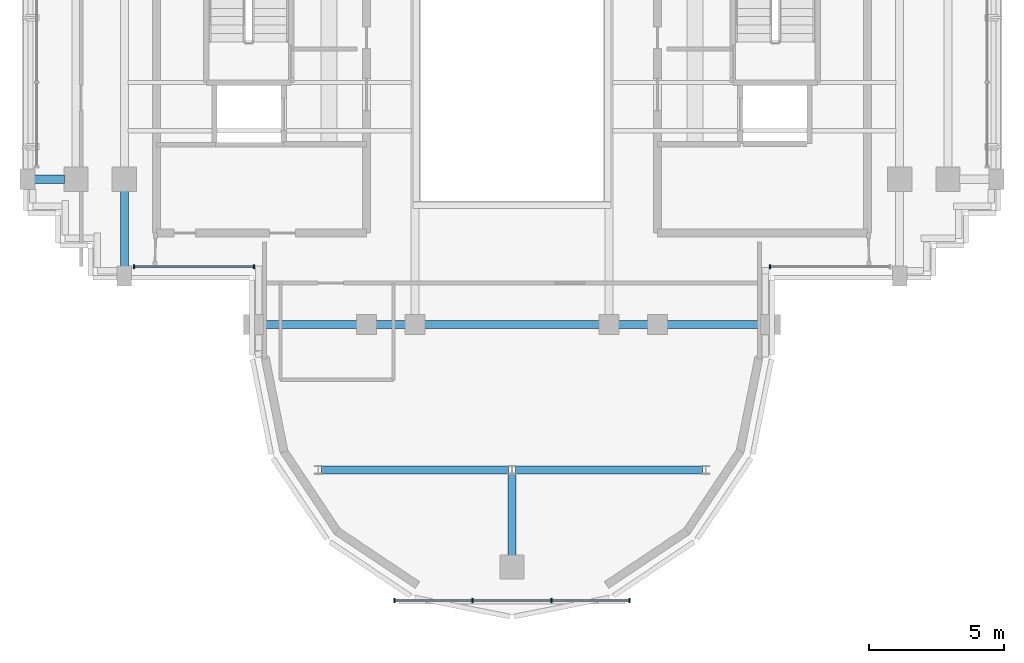
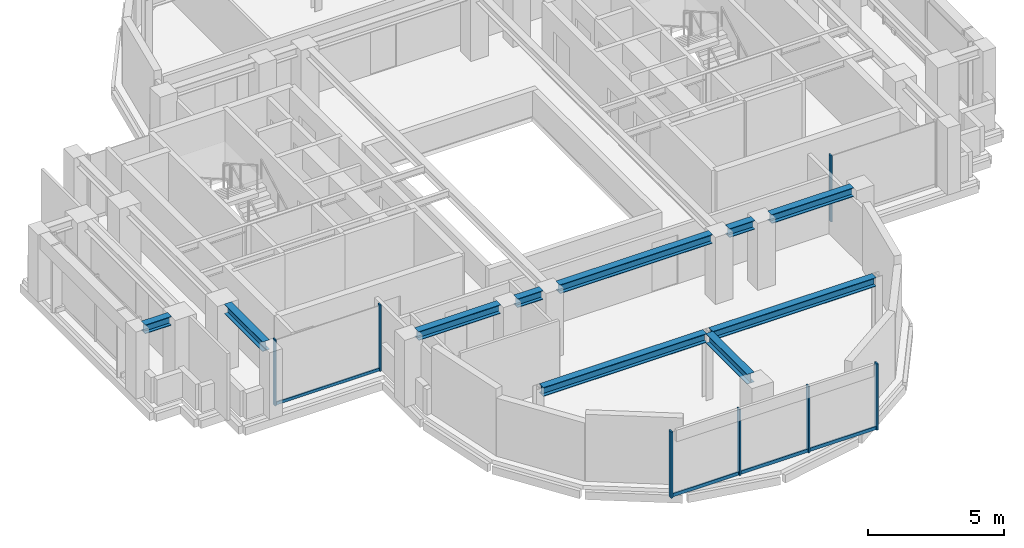
# One storey, part 3 of 12: 11 members, 10 beams, 3 elements without a shape of their own.
"""IFC4 building model written with IfcOpenShell, lengths in metres."""

from ifc_helpers import new_model, si_unit, direction, frame, origin, origin_2d, place, context, subcontext, project, spatial, rectangle, i_section, extrude, source, transform, mapped, material, material_profile, profile_set, type_object, element, aggregate, save


model = new_model("IFC4")

# Units and contexts
model_context = context("Model", 3, precision=1e-05, world=origin(), true_north=direction((0.0, 1.0)))
body_context = subcontext(model_context, "Body", "Model", "MODEL_VIEW")
ifc_project = project(units=[si_unit("LENGTHUNIT", "METRE"), si_unit("AREAUNIT", "SQUARE_METRE"), si_unit("VOLUMEUNIT", "CUBIC_METRE"), si_unit("PLANEANGLEUNIT", "RADIAN"), si_unit("MASSUNIT", "GRAM", prefix="KILO")], contexts=[model_context])

# Site, building, storey
site_placement = place(None, origin())
site = spatial("IfcSite", under=ifc_project, at=site_placement, CompositionType="ELEMENT")
building_placement = place(site_placement, origin())
building = spatial("IfcBuilding", under=site, at=building_placement, Name="Keilestroom Media Tower", CompositionType="ELEMENT")
storey_placement = place(building_placement, frame((0.0, 0.0, 246.0)))
storey = spatial("IfcBuildingStorey", under=building, at=storey_placement, Name="L68", CompositionType="ELEMENT", Elevation=246.0)

# Beams
ifc_material_1 = material(Name="Steel S355", Category="steel")
ifc_material_profile_1 = material_profile(ifc_material_1, i_section(OverallWidth=0.300048828125, OverallDepth=0.39990234375, WebThickness=0.011474609375, FlangeThickness=0.02392578125, at=origin_2d()), Name="HEB 400")
ifc_profile_set_1 = profile_set([ifc_material_profile_1], Name="Steel S355")
beam_type_1 = type_object("IfcBeamType", Name="Primary-Structural-Girder-HEB-400", PredefinedType="BEAM", material=ifc_profile_set_1)
shared_shape_1 = source(origin(), body_context, "Body", "SweptSolid", [
    extrude(i_section(OverallWidth=0.300048828125, OverallDepth=0.39990234375, WebThickness=0.011474609375, FlangeThickness=0.02392578125, at=origin_2d()), origin(), (0.0, 0.0, 1.0), 6.940185546875),
])
for number, where, z_axis, x_axis, name in (
    (1, (-7.070068359375, -14.39990234375, 2.81005859375), (1.0, 0.0, 0.0), (0.0, 1.0, 0.0), "L68 Beam BG-8 BM-L68-EW-001"),
    (2, (0.1298828125, -14.39990234375, 2.81005859375), (1.0, 0.0, 0.0), (0.0, 1.0, 0.0), "L68 Beam BG-8 BM-L68-EW-002"),
):
    element("IfcBeam", number, at=place(storey_placement, frame(where, z_axis=z_axis, x_axis=x_axis)), inside=storey, type_object=beam_type_1, Name=name, PredefinedType="BEAM", context=body_context, shape_type="MappedRepresentation", body=[
        mapped(shared_shape_1, transform((0.0, 0.0, 0.0), x_axis=(1.0, 0.0, 0.0), y_axis=(0.0, 1.0, 0.0), z_axis=(0.0, 0.0, 1.0), scale=1.0)),
    ])
shared_shape_2 = source(origin(), body_context, "Body", "SweptSolid", [
    extrude(i_section(OverallWidth=0.300048828125, OverallDepth=0.39990234375, WebThickness=0.011474609375, FlangeThickness=0.02392578125, at=origin_2d()), origin(), (0.0, 0.0, 1.0), 3.490234375),
])
for number, where, z_axis, x_axis, name in (
    (3, (-9.2451171875, -9.0, 2.81005859375), (1.0, 0.0, 0.0), (0.0, 1.0, 0.0), "L68 Beam BG-8 BM-L68-EW-003"),
    (4, (5.7548828125, -9.0, 2.81005859375), (1.0, 0.0, 0.0), (0.0, 1.0, 0.0), "L68 Beam BG-8 BM-L68-EW-007"),
):
    element("IfcBeam", number, at=place(storey_placement, frame(where, z_axis=z_axis, x_axis=x_axis)), inside=storey, type_object=beam_type_1, Name=name, PredefinedType="BEAM", context=body_context, shape_type="MappedRepresentation", body=[
        mapped(shared_shape_2, transform((0.0, 0.0, 0.0), x_axis=(1.0, 0.0, 0.0), y_axis=(0.0, 1.0, 0.0), z_axis=(0.0, 0.0, 1.0), scale=1.0)),
    ])
shared_shape_3 = source(origin(), body_context, "Body", "SweptSolid", [
    extrude(i_section(OverallWidth=0.300048828125, OverallDepth=0.39990234375, WebThickness=0.011474609375, FlangeThickness=0.02392578125, at=origin_2d()), origin(), (0.0, 0.0, 1.0), 1.08984375),
])
for number, where, z_axis, x_axis, name in (
    (5, (-5.044921875, -9.0, 2.81005859375), (1.0, 0.0, 0.0), (0.0, 1.0, 0.0), "L68 Beam BG-8 BM-L68-EW-004"),
    (6, (3.955078125, -9.0, 2.81005859375), (1.0, 0.0, 0.0), (0.0, 1.0, 0.0), "L68 Beam BG-8 BM-L68-EW-006"),
):
    element("IfcBeam", number, at=place(storey_placement, frame(where, z_axis=z_axis, x_axis=x_axis)), inside=storey, type_object=beam_type_1, Name=name, PredefinedType="BEAM", context=body_context, shape_type="MappedRepresentation", body=[
        mapped(shared_shape_3, transform((0.0, 0.0, 0.0), x_axis=(1.0, 0.0, 0.0), y_axis=(0.0, 1.0, 0.0), z_axis=(0.0, 0.0, 1.0), scale=1.0)),
    ])
shared_shape_4 = source(origin(), body_context, "Body", "SweptSolid", [
    extrude(i_section(OverallWidth=0.300048828125, OverallDepth=0.39990234375, WebThickness=0.011474609375, FlangeThickness=0.02392578125, at=origin_2d()), origin(), (0.0, 0.0, 1.0), 6.490234375),
])
beam_1_placement = place(storey_placement, frame((-3.2451171875, -9.0, 2.81005859375), z_axis=(1.0, 0.0, 0.0), x_axis=(0.0, 1.0, 0.0)))
element("IfcBeam", 7, at=beam_1_placement, inside=storey, type_object=beam_type_1, Name="L68 Beam BG-8 BM-L68-EW-005", PredefinedType="BEAM", context=body_context, shape_type="MappedRepresentation", body=[
    mapped(shared_shape_4, transform((0.0, 0.0, 0.0), x_axis=(1.0, 0.0, 0.0), y_axis=(0.0, 1.0, 0.0), z_axis=(0.0, 0.0, 1.0), scale=1.0)),
])
shared_shape_5 = source(origin(), body_context, "Body", "SweptSolid", [
    extrude(i_section(OverallWidth=0.300048828125, OverallDepth=0.39990234375, WebThickness=0.011474609375, FlangeThickness=0.02392578125, at=origin_2d()), origin(), (0.0, 0.0, 1.0), 1.115234375),
])
beam_2_placement = place(storey_placement, frame((-17.7451171875, -3.60009765625, 2.81005859375), z_axis=(1.0, 0.0, 0.0), x_axis=(0.0, 1.0, 0.0)))
element("IfcBeam", 8, at=beam_2_placement, inside=storey, type_object=beam_type_1, Name="L68 Beam BG-8 BM-L68-EW-008", PredefinedType="BEAM", context=body_context, shape_type="MappedRepresentation", body=[
    mapped(shared_shape_5, transform((0.0, 0.0, 0.0), x_axis=(1.0, 0.0, 0.0), y_axis=(0.0, 1.0, 0.0), z_axis=(0.0, 0.0, 1.0), scale=1.0)),
])
ifc_material_profile_2 = material_profile(ifc_material_1, i_section(OverallWidth=0.300048828125, OverallDepth=0.43994140625, WebThickness=0.011474609375, FlangeThickness=0.02099609375, at=origin_2d()), Name="HEA 450")
ifc_profile_set_2 = profile_set([ifc_material_profile_2], Name="Steel S355")
beam_type_2 = type_object("IfcBeamType", Name="Primary-Structural-Girder-HEA-450", PredefinedType="BEAM", material=ifc_profile_set_2)
shared_shape_6 = source(origin(), body_context, "Body", "SweptSolid", [
    extrude(i_section(OverallWidth=0.300048828125, OverallDepth=0.43994140625, WebThickness=0.011474609375, FlangeThickness=0.02099609375, at=origin_2d()), origin(), (0.0, 0.0, 1.0), 2.81494140625),
])
beam_3_placement = place(storey_placement, frame((-14.39990234375, -6.844970703125, 2.7900390625), z_axis=(0.0, 1.0, 0.0), x_axis=(-1.0, 0.0, 0.0)))
element("IfcBeam", 9, at=beam_3_placement, inside=storey, type_object=beam_type_2, Name="L68 Beam BG-11 BM-L68-NS-027", PredefinedType="BEAM", context=body_context, shape_type="MappedRepresentation", body=[
    mapped(shared_shape_6, transform((0.0, 0.0, 0.0), x_axis=(1.0, 0.0, 0.0), y_axis=(0.0, 1.0, 0.0), z_axis=(0.0, 0.0, 1.0), scale=1.0)),
])
shared_shape_7 = source(origin(), body_context, "Body", "SweptSolid", [
    extrude(i_section(OverallWidth=0.300048828125, OverallDepth=0.43994140625, WebThickness=0.011474609375, FlangeThickness=0.02099609375, at=origin_2d()), origin(), (0.0, 0.0, 1.0), 3.0400390625),
])
beam_4_placement = place(storey_placement, frame((0.0, -17.570068359375, 2.7900390625), z_axis=(0.0, 1.0, 0.0), x_axis=(-1.0, 0.0, 0.0)))
element("IfcBeam", 10, at=beam_4_placement, inside=storey, type_object=beam_type_2, Name="L68 Beam BG-11 BM-L68-NS-034", PredefinedType="BEAM", context=body_context, shape_type="MappedRepresentation", body=[
    mapped(shared_shape_7, transform((0.0, 0.0, 0.0), x_axis=(1.0, 0.0, 0.0), y_axis=(0.0, 1.0, 0.0), z_axis=(0.0, 0.0, 1.0), scale=1.0)),
])

# Curtain wall, members
ifc_material_2 = material(Name="Anodised Aluminium Alloy", Category="aluminium")
curtain_wall_type_1 = type_object("IfcCurtainWallType", Name="Unitised-Curtain-Wall-CW-6", PredefinedType="NOTDEFINED", material=ifc_material_2)
curtain_wall_1_placement = place(storey_placement, origin())
curtain_wall_1 = element("IfcCurtainWall", 11, at=curtain_wall_1_placement, inside=storey, type_object=curtain_wall_type_1, Name="L68 Curtain Wall CW-6 CW-L68-LS-1", PredefinedType="NOTDEFINED")
ifc_material_profile_3 = material_profile(ifc_material_2, rectangle(XDim=0.06494140625, YDim=0.179931640625, at=origin_2d()), Name="ALU MULLION 65x180")
ifc_profile_set_3 = profile_set([ifc_material_profile_3], Name="Anodised Aluminium Alloy")
member_type_1 = type_object("IfcMemberType", Name="Curtain-Wall-Mullion-CW-6", PredefinedType="MULLION", material=ifc_profile_set_3)
shared_shape_8 = source(origin(), body_context, "Body", "SweptSolid", [
    extrude(rectangle(XDim=0.06494140625, YDim=0.179931640625, at=origin_2d()), origin(), (0.0, 0.0, 1.0), 2.97998046875),
])
member_1_placement = place(storey_placement, frame((-4.367431640625, -19.25, 0.0), z_axis=(0.0, 0.0, 1.0), x_axis=(1.0, 0.0, 0.0)))
member_1 = element("IfcMember", 12, at=member_1_placement, type_object=member_type_1, Name="CW-6 Mullion 00", PredefinedType="MULLION", context=body_context, shape_type="MappedRepresentation", body=[
    mapped(shared_shape_8, transform((0.0, 0.0, 0.0), x_axis=(1.0, 0.0, 0.0), y_axis=(0.0, 1.0, 0.0), z_axis=(0.0, 0.0, 1.0), scale=1.0)),
])
member_2_placement = place(storey_placement, frame((-1.466796875, -19.25, 0.0), z_axis=(0.0, 0.0, 1.0), x_axis=(1.0, 0.0, 0.0)))
member_2 = element("IfcMember", 13, at=member_2_placement, type_object=member_type_1, Name="CW-6 Mullion 01", PredefinedType="MULLION", context=body_context, shape_type="MappedRepresentation", body=[
    mapped(shared_shape_8, transform((0.0, 0.0, 0.0), x_axis=(1.0, 0.0, 0.0), y_axis=(0.0, 1.0, 0.0), z_axis=(0.0, 0.0, 1.0), scale=1.0)),
])
member_3_placement = place(storey_placement, frame((1.466796875, -19.25, 0.0), z_axis=(0.0, 0.0, 1.0), x_axis=(1.0, 0.0, 0.0)))
member_3 = element("IfcMember", 14, at=member_3_placement, type_object=member_type_1, Name="CW-6 Mullion 02", PredefinedType="MULLION", context=body_context, shape_type="MappedRepresentation", body=[
    mapped(shared_shape_8, transform((0.0, 0.0, 0.0), x_axis=(1.0, 0.0, 0.0), y_axis=(0.0, 1.0, 0.0), z_axis=(0.0, 0.0, 1.0), scale=1.0)),
])
member_4_placement = place(storey_placement, frame((4.367431640625, -19.25, 0.0), z_axis=(0.0, 0.0, 1.0), x_axis=(1.0, 0.0, 0.0)))
member_4 = element("IfcMember", 15, at=member_4_placement, type_object=member_type_1, Name="CW-6 Mullion 03", PredefinedType="MULLION", context=body_context, shape_type="MappedRepresentation", body=[
    mapped(shared_shape_8, transform((0.0, 0.0, 0.0), x_axis=(1.0, 0.0, 0.0), y_axis=(0.0, 1.0, 0.0), z_axis=(0.0, 0.0, 1.0), scale=1.0)),
])
ifc_material_profile_4 = material_profile(ifc_material_2, rectangle(XDim=0.06494140625, YDim=0.14990234375, at=origin_2d()), Name="ALU TRANSOM 65x150")
ifc_profile_set_4 = profile_set([ifc_material_profile_4], Name="Anodised Aluminium Alloy")
member_type_2 = type_object("IfcMemberType", Name="Curtain-Wall-Transom-CW-6", PredefinedType="USERDEFINED", material=ifc_profile_set_4)
shared_shape_9 = source(origin(), body_context, "Body", "SweptSolid", [
    extrude(rectangle(XDim=0.06494140625, YDim=0.14990234375, at=origin_2d()), origin(), (0.0, 0.0, 1.0), 2.839599609375),
])
member_5_placement = place(storey_placement, frame((-4.3369140625, -19.25, 0.074951171875), z_axis=(1.0, 0.0, 0.0), x_axis=(0.0, 1.0, 0.0)))
member_5 = element("IfcMember", 16, at=member_5_placement, type_object=member_type_2, Name="CW-6 Transom 00.1", ObjectType="TRANSOM", PredefinedType="USERDEFINED", context=body_context, shape_type="MappedRepresentation", body=[
    mapped(shared_shape_9, transform((0.0, 0.0, 0.0), x_axis=(1.0, 0.0, 0.0), y_axis=(0.0, 1.0, 0.0), z_axis=(0.0, 0.0, 1.0), scale=1.0)),
])
member_6_placement = place(storey_placement, frame((1.497314453125, -19.25, 0.074951171875), z_axis=(1.0, 0.0, 0.0), x_axis=(0.0, 1.0, 0.0)))
member_6 = element("IfcMember", 17, at=member_6_placement, type_object=member_type_2, Name="CW-6 Transom 02.1", ObjectType="TRANSOM", PredefinedType="USERDEFINED", context=body_context, shape_type="MappedRepresentation", body=[
    mapped(shared_shape_9, transform((0.0, 0.0, 0.0), x_axis=(1.0, 0.0, 0.0), y_axis=(0.0, 1.0, 0.0), z_axis=(0.0, 0.0, 1.0), scale=1.0)),
])
shared_shape_10 = source(origin(), body_context, "Body", "SweptSolid", [
    extrude(rectangle(XDim=0.06494140625, YDim=0.14990234375, at=origin_2d()), origin(), (0.0, 0.0, 1.0), 2.87255859375),
])
member_7_placement = place(storey_placement, frame((-1.436279296875, -19.25, 0.074951171875), z_axis=(1.0, 0.0, 0.0), x_axis=(0.0, 1.0, 0.0)))
member_7 = element("IfcMember", 18, at=member_7_placement, type_object=member_type_2, Name="CW-6 Transom 01.1", ObjectType="TRANSOM", PredefinedType="USERDEFINED", context=body_context, shape_type="MappedRepresentation", body=[
    mapped(shared_shape_10, transform((0.0, 0.0, 0.0), x_axis=(1.0, 0.0, 0.0), y_axis=(0.0, 1.0, 0.0), z_axis=(0.0, 0.0, 1.0), scale=1.0)),
])
aggregate(curtain_wall_1, [member_1, member_2, member_3, member_4, member_5, member_7, member_6])

curtain_wall_type_2 = type_object("IfcCurtainWallType", Name="Unitised-Curtain-Wall-CW-4", PredefinedType="NOTDEFINED", material=ifc_material_2)
curtain_wall_2_placement = place(storey_placement, origin())
curtain_wall_2 = element("IfcCurtainWall", 19, at=curtain_wall_2_placement, inside=storey, type_object=curtain_wall_type_2, Name="L68 Curtain Wall CW-4 CW-L68-SW-1", PredefinedType="NOTDEFINED")
ifc_material_profile_5 = material_profile(ifc_material_2, rectangle(XDim=0.06005859375, YDim=0.159912109375, at=origin_2d()), Name="ALU MULLION 60x160")
ifc_profile_set_5 = profile_set([ifc_material_profile_5], Name="Anodised Aluminium Alloy")
member_type_3 = type_object("IfcMemberType", Name="Curtain-Wall-Mullion-CW-4", PredefinedType="MULLION", material=ifc_profile_set_5)
shared_shape_11 = source(origin(), body_context, "Body", "SweptSolid", [
    extrude(rectangle(XDim=0.06005859375, YDim=0.159912109375, at=origin_2d()), origin(), (0.0, 0.0, 1.0), 2.97998046875),
])
member_8_placement = place(storey_placement, frame((-14.034912109375, -6.85009765625, 0.0), z_axis=(0.0, 0.0, 1.0), x_axis=(1.0, 0.0, 0.0)))
member_8 = element("IfcMember", 20, at=member_8_placement, type_object=member_type_3, Name="CW-4 Mullion 00", PredefinedType="MULLION", context=body_context, shape_type="MappedRepresentation", body=[
    mapped(shared_shape_11, transform((0.0, 0.0, 0.0), x_axis=(1.0, 0.0, 0.0), y_axis=(0.0, 1.0, 0.0), z_axis=(0.0, 0.0, 1.0), scale=1.0)),
])
member_9_placement = place(storey_placement, frame((-9.580078125, -6.85009765625, 0.0), z_axis=(0.0, 0.0, 1.0), x_axis=(1.0, 0.0, 0.0)))
member_9 = element("IfcMember", 21, at=member_9_placement, type_object=member_type_3, Name="CW-4 Mullion 01", PredefinedType="MULLION", context=body_context, shape_type="MappedRepresentation", body=[
    mapped(shared_shape_11, transform((0.0, 0.0, 0.0), x_axis=(1.0, 0.0, 0.0), y_axis=(0.0, 1.0, 0.0), z_axis=(0.0, 0.0, 1.0), scale=1.0)),
])

# Curtain wall, member
curtain_wall_3_placement = place(storey_placement, origin())
curtain_wall_3 = element("IfcCurtainWall", 22, at=curtain_wall_3_placement, inside=storey, type_object=curtain_wall_type_2, Name="L68 Curtain Wall CW-4 CW-L68-SE-1", PredefinedType="NOTDEFINED")
member_10_placement = place(storey_placement, frame((9.580078125, -6.85009765625, 0.0), z_axis=(0.0, 0.0, 1.0), x_axis=(1.0, 0.0, 0.0)))
member_10 = element("IfcMember", 23, at=member_10_placement, type_object=member_type_3, Name="CW-4 Mullion 00", PredefinedType="MULLION", context=body_context, shape_type="MappedRepresentation", body=[
    mapped(shared_shape_11, transform((0.0, 0.0, 0.0), x_axis=(1.0, 0.0, 0.0), y_axis=(0.0, 1.0, 0.0), z_axis=(0.0, 0.0, 1.0), scale=1.0)),
])
aggregate(curtain_wall_3, [member_10])

# Member
ifc_material_profile_6 = material_profile(ifc_material_2, rectangle(XDim=0.06005859375, YDim=0.1298828125, at=origin_2d()), Name="ALU TRANSOM 60x130")
ifc_profile_set_6 = profile_set([ifc_material_profile_6], Name="Anodised Aluminium Alloy")
member_type_4 = type_object("IfcMemberType", Name="Curtain-Wall-Transom-CW-4", PredefinedType="USERDEFINED", material=ifc_profile_set_6)
shared_shape_12 = source(origin(), body_context, "Body", "SweptSolid", [
    extrude(rectangle(XDim=0.06005859375, YDim=0.1298828125, at=origin_2d()), origin(), (0.0, 0.0, 1.0), 4.399169921875),
])
member_11_placement = place(storey_placement, frame((-14.007080078125, -6.85009765625, 0.06494140625), z_axis=(1.0, 0.0, 0.0), x_axis=(0.0, 1.0, 0.0)))
member_11 = element("IfcMember", 24, at=member_11_placement, type_object=member_type_4, Name="CW-4 Transom 00.1", ObjectType="TRANSOM", PredefinedType="USERDEFINED", context=body_context, shape_type="MappedRepresentation", body=[
    mapped(shared_shape_12, transform((0.0, 0.0, 0.0), x_axis=(1.0, 0.0, 0.0), y_axis=(0.0, 1.0, 0.0), z_axis=(0.0, 0.0, 1.0), scale=1.0)),
])

aggregate(curtain_wall_2, [member_8, member_9, member_11])

save(model, "model.ifc")
